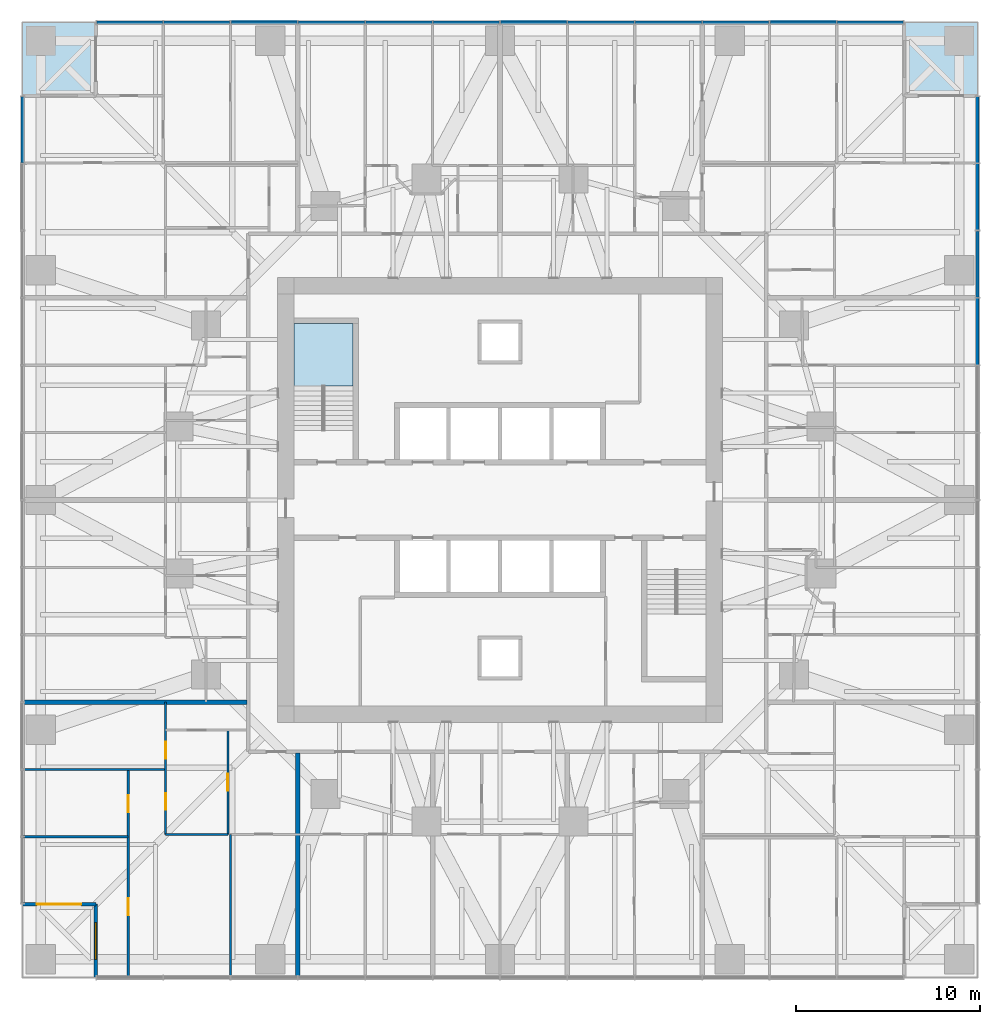
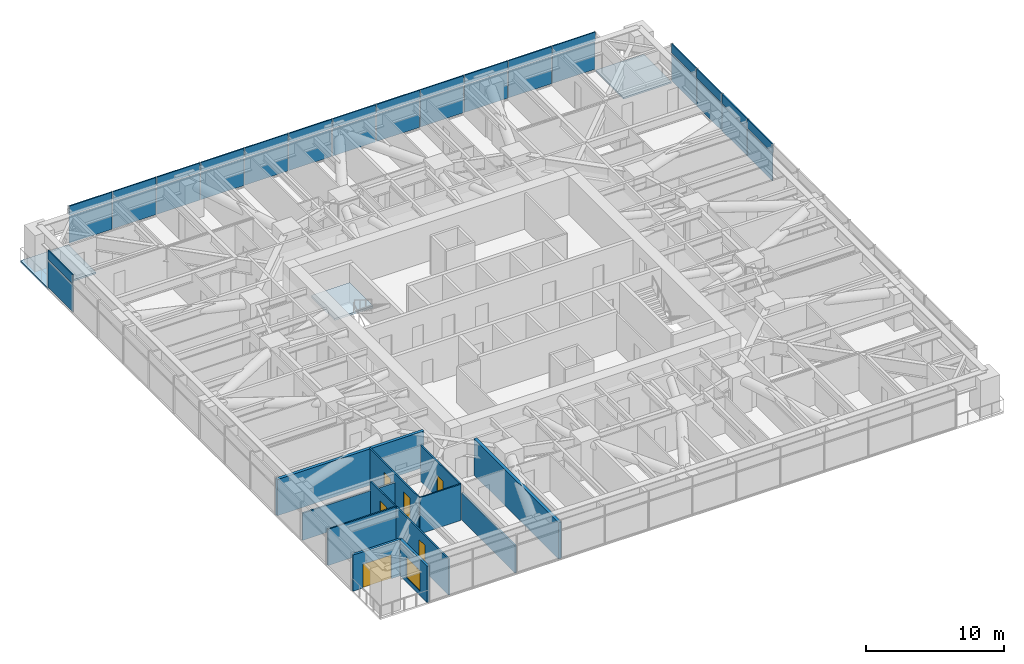
# One storey, part 9 of 17: 34 plates, 11 walls, 6 doors, 3 slabs, 1 window, 7 openings, 4 elements without a shape of their own.
"""IFC4 building model written with IfcOpenShell, lengths in metres."""

from ifc_helpers import new_model, si_unit, direction, frame, frame_2d, origin, origin_2d, place, context, subcontext, project, spatial, polyline, rectangle, outline, extrude, material, layer, layer_set, type_object, element, fill, aggregate, save


model = new_model("IFC4")

# Units and contexts
model_context = context("Model", 3, precision=1e-05, world=origin(), true_north=direction((0.0, 1.0)))
body_context = subcontext(model_context, "Body", "Model", "MODEL_VIEW")
ifc_project = project(units=[si_unit("LENGTHUNIT", "METRE"), si_unit("AREAUNIT", "SQUARE_METRE"), si_unit("VOLUMEUNIT", "CUBIC_METRE"), si_unit("PLANEANGLEUNIT", "RADIAN"), si_unit("MASSUNIT", "GRAM", prefix="KILO")], contexts=[model_context])

# Site, building, storey
site_placement = place(None, origin())
site = spatial("IfcSite", under=ifc_project, at=site_placement, CompositionType="ELEMENT")
building_placement = place(site_placement, origin())
building = spatial("IfcBuilding", under=site, at=building_placement, Name="Torsade Residences", CompositionType="ELEMENT")
storey_placement = place(building_placement, frame((0.0, 0.0, 38.800048828125)))
storey = spatial("IfcBuildingStorey", under=building, at=storey_placement, Name="L10", CompositionType="ELEMENT", Elevation=38.800048828125)

# Curtain wall, plates
ifc_material_1 = material(Name="Aluminium and glass", Category="aluminium")
curtain_wall_type = type_object("IfcCurtainWallType", Name="FRITTED GLASS CURTAIN WALL LOW ZONE", PredefinedType="NOTDEFINED", material=ifc_material_1)
curtain_wall_1_placement = place(storey_placement, origin())
curtain_wall_1 = element("IfcCurtainWall", 1, at=curtain_wall_1_placement, inside=storey, type_object=curtain_wall_type, Name="Curtain wall L10 face 4", PredefinedType="NOTDEFINED")
ifc_material_2 = material(Name="Laminated glass", Category="glass")
ifc_layer_1 = layer(ifc_material_2, 0.031982421875)
ifc_layer_set_1 = layer_set([ifc_layer_1], Name="Laminated glass")
plate_type_1 = type_object("IfcPlateType", Name="FRITTED GLASS PANEL", PredefinedType="CURTAIN_PANEL", material=ifc_layer_set_1)
plate_1_placement = place(storey_placement, frame((66.0, 39.166748046875, 0.10009765625), z_axis=(0.0, 0.0, 1.0), x_axis=(0.0, 1.0, 0.0)))
plate_1 = element("IfcPlate", 2, at=plate_1_placement, type_object=plate_type_1, Name="Panel 9", PredefinedType="CURTAIN_PANEL", context=body_context, shape_type="SweptSolid", body=[
    extrude(rectangle(XDim=3.6015625, YDim=0.031982421875, at=origin_2d()), origin(), (0.0, 0.0, 1.0), 2.39990234375),
])
plate_2_placement = place(storey_placement, frame((66.0, 46.5, 0.10009765625), z_axis=(0.0, 0.0, 1.0), x_axis=(0.0, 1.0, 0.0)))
plate_2 = element("IfcPlate", 3, at=plate_2_placement, type_object=plate_type_1, Name="Panel 11", PredefinedType="CURTAIN_PANEL", context=body_context, shape_type="SweptSolid", body=[
    extrude(rectangle(XDim=3.6015625, YDim=0.031982421875, at=origin_2d()), origin(), (0.0, 0.0, 1.0), 2.39990234375),
])
plate_3_placement = place(storey_placement, frame((66.0, 50.150390625, 0.10009765625), z_axis=(0.0, 0.0, 1.0), x_axis=(0.0, 1.0, 0.0)))
plate_3 = element("IfcPlate", 4, at=plate_3_placement, type_object=plate_type_1, Name="Panel 12", PredefinedType="CURTAIN_PANEL", context=body_context, shape_type="SweptSolid", body=[
    extrude(rectangle(XDim=3.569091796875, YDim=0.031982421875, at=origin_2d()), origin(), (0.0, 0.0, 1.0), 2.39990234375),
])

curtain_wall_2_placement = place(storey_placement, origin())
curtain_wall_2 = element("IfcCurtainWall", 5, at=curtain_wall_2_placement, inside=storey, type_object=curtain_wall_type, Name="Curtain wall L10 face 7", PredefinedType="NOTDEFINED")
plate_4_placement = place(storey_placement, frame((60.150390625, 56.0, 0.10009765625), z_axis=(0.0, 0.0, 1.0), x_axis=(-1.0, 0.0, 0.0)))
plate_4 = element("IfcPlate", 6, at=plate_4_placement, type_object=plate_type_1, Name="Panel 1", PredefinedType="CURTAIN_PANEL", context=body_context, shape_type="SweptSolid", body=[
    extrude(rectangle(XDim=3.569091796875, YDim=0.031982421875, at=origin_2d()), origin(), (0.0, 0.0, 1.0), 2.39990234375),
])
plate_5_placement = place(storey_placement, frame((52.833251953125, 56.0, 0.10009765625), z_axis=(0.0, 0.0, 1.0), x_axis=(-1.0, 0.0, 0.0)))
plate_5 = element("IfcPlate", 7, at=plate_5_placement, type_object=plate_type_1, Name="Panel 3", PredefinedType="CURTAIN_PANEL", context=body_context, shape_type="SweptSolid", body=[
    extrude(rectangle(XDim=3.6015625, YDim=0.031982421875, at=origin_2d()), origin(), (0.0, 0.0, 1.0), 2.39990234375),
])
plate_6_placement = place(storey_placement, frame((49.166748046875, 56.0, 0.10009765625), z_axis=(0.0, 0.0, 1.0), x_axis=(-1.0, 0.0, 0.0)))
plate_6 = element("IfcPlate", 8, at=plate_6_placement, type_object=plate_type_1, Name="Panel 4", PredefinedType="CURTAIN_PANEL", context=body_context, shape_type="SweptSolid", body=[
    extrude(rectangle(XDim=3.6015625, YDim=0.031982421875, at=origin_2d()), origin(), (0.0, 0.0, 1.0), 2.39990234375),
])
plate_7_placement = place(storey_placement, frame((45.5, 56.0, 0.10009765625), z_axis=(0.0, 0.0, 1.0), x_axis=(-1.0, 0.0, 0.0)))
plate_7 = element("IfcPlate", 9, at=plate_7_placement, type_object=plate_type_1, Name="Panel 5", PredefinedType="CURTAIN_PANEL", context=body_context, shape_type="SweptSolid", body=[
    extrude(rectangle(XDim=3.6015625, YDim=0.031982421875, at=origin_2d()), origin(), (0.0, 0.0, 1.0), 2.39990234375),
])
plate_8_placement = place(storey_placement, frame((38.166748046875, 56.0, 0.10009765625), z_axis=(0.0, 0.0, 1.0), x_axis=(-1.0, 0.0, 0.0)))
plate_8 = element("IfcPlate", 10, at=plate_8_placement, type_object=plate_type_1, Name="Panel 7", PredefinedType="CURTAIN_PANEL", context=body_context, shape_type="SweptSolid", body=[
    extrude(rectangle(XDim=3.6015625, YDim=0.031982421875, at=origin_2d()), origin(), (0.0, 0.0, 1.0), 2.39990234375),
])
plate_9_placement = place(storey_placement, frame((34.5, 56.0, 0.10009765625), z_axis=(0.0, 0.0, 1.0), x_axis=(-1.0, 0.0, 0.0)))
plate_9 = element("IfcPlate", 11, at=plate_9_placement, type_object=plate_type_1, Name="Panel 8", PredefinedType="CURTAIN_PANEL", context=body_context, shape_type="SweptSolid", body=[
    extrude(rectangle(XDim=3.6015625, YDim=0.031982421875, at=origin_2d()), origin(), (0.0, 0.0, 1.0), 2.39990234375),
])
plate_10_placement = place(storey_placement, frame((30.833251953125, 56.0, 0.10009765625), z_axis=(0.0, 0.0, 1.0), x_axis=(-1.0, 0.0, 0.0)))
plate_10 = element("IfcPlate", 12, at=plate_10_placement, type_object=plate_type_1, Name="Panel 9", PredefinedType="CURTAIN_PANEL", context=body_context, shape_type="SweptSolid", body=[
    extrude(rectangle(XDim=3.6015625, YDim=0.031982421875, at=origin_2d()), origin(), (0.0, 0.0, 1.0), 2.39990234375),
])
plate_11_placement = place(storey_placement, frame((23.5, 56.0, 0.10009765625), z_axis=(0.0, 0.0, 1.0), x_axis=(-1.0, 0.0, 0.0)))
plate_11 = element("IfcPlate", 13, at=plate_11_placement, type_object=plate_type_1, Name="Panel 11", PredefinedType="CURTAIN_PANEL", context=body_context, shape_type="SweptSolid", body=[
    extrude(rectangle(XDim=3.6015625, YDim=0.031982421875, at=origin_2d()), origin(), (0.0, 0.0, 1.0), 2.39990234375),
])
plate_12_placement = place(storey_placement, frame((19.849609375, 56.0, 0.10009765625), z_axis=(0.0, 0.0, 1.0), x_axis=(-1.0, 0.0, 0.0)))
plate_12 = element("IfcPlate", 14, at=plate_12_placement, type_object=plate_type_1, Name="Panel 12", PredefinedType="CURTAIN_PANEL", context=body_context, shape_type="SweptSolid", body=[
    extrude(rectangle(XDim=3.569091796875, YDim=0.031982421875, at=origin_2d()), origin(), (0.0, 0.0, 1.0), 2.39990234375),
])

# Curtain wall, plate
curtain_wall_3_placement = place(storey_placement, origin())
curtain_wall_3 = element("IfcCurtainWall", 15, at=curtain_wall_3_placement, inside=storey, type_object=curtain_wall_type, Name="Curtain wall L10 face 10", PredefinedType="NOTDEFINED")
plate_13_placement = place(storey_placement, frame((14.0, 50.150390625, 0.10009765625), z_axis=(0.0, 0.0, 1.0), x_axis=(0.0, -1.0, 0.0)))
plate_13 = element("IfcPlate", 16, at=plate_13_placement, type_object=plate_type_1, Name="Panel 1", PredefinedType="CURTAIN_PANEL", context=body_context, shape_type="SweptSolid", body=[
    extrude(rectangle(XDim=3.569091796875, YDim=0.031982421875, at=origin_2d()), origin(), (0.0, 0.0, 1.0), 2.39990234375),
])

# Plate
ifc_material_3 = material(Name="Aluminium composite spandrel panel", Category="aluminium")
ifc_layer_2 = layer(ifc_material_3, 0.10009765625)
ifc_layer_set_2 = layer_set([ifc_layer_2], Name="Aluminium composite spandrel panel")
plate_type_2 = type_object("IfcPlateType", Name="OPAQUE SPANDREL PANEL", PredefinedType="CURTAIN_PANEL", material=ifc_layer_set_2)
plate_14_placement = place(storey_placement, frame((66.0, 39.166748046875, 2.60009765625), z_axis=(0.0, 0.0, 1.0), x_axis=(0.0, 1.0, 0.0)))
plate_14 = element("IfcPlate", 17, at=plate_14_placement, type_object=plate_type_2, Name="Spandrel panel 9", PredefinedType="CURTAIN_PANEL", context=body_context, shape_type="SweptSolid", body=[
    extrude(rectangle(XDim=3.6015625, YDim=0.10009765625, at=origin_2d()), origin(), (0.0, 0.0, 1.0), 0.800048828125),
])

plate_15_placement = place(storey_placement, frame((66.0, 42.833251953125, 2.60009765625), z_axis=(0.0, 0.0, 1.0), x_axis=(0.0, 1.0, 0.0)))
plate_15 = element("IfcPlate", 18, at=plate_15_placement, type_object=plate_type_2, Name="Spandrel panel 10", PredefinedType="CURTAIN_PANEL", context=body_context, shape_type="SweptSolid", body=[
    extrude(rectangle(XDim=3.6015625, YDim=0.10009765625, at=origin_2d()), origin(), (0.0, 0.0, 1.0), 0.800048828125),
])

plate_16_placement = place(storey_placement, frame((66.0, 46.5, 2.60009765625), z_axis=(0.0, 0.0, 1.0), x_axis=(0.0, 1.0, 0.0)))
plate_16 = element("IfcPlate", 19, at=plate_16_placement, type_object=plate_type_2, Name="Spandrel panel 11", PredefinedType="CURTAIN_PANEL", context=body_context, shape_type="SweptSolid", body=[
    extrude(rectangle(XDim=3.6015625, YDim=0.10009765625, at=origin_2d()), origin(), (0.0, 0.0, 1.0), 0.800048828125),
])

plate_17_placement = place(storey_placement, frame((66.0, 50.150390625, 2.60009765625), z_axis=(0.0, 0.0, 1.0), x_axis=(0.0, 1.0, 0.0)))
plate_17 = element("IfcPlate", 20, at=plate_17_placement, type_object=plate_type_2, Name="Spandrel panel 12", PredefinedType="CURTAIN_PANEL", context=body_context, shape_type="SweptSolid", body=[
    extrude(rectangle(XDim=3.569091796875, YDim=0.10009765625, at=origin_2d()), origin(), (0.0, 0.0, 1.0), 0.800048828125),
])

plate_18_placement = place(storey_placement, frame((60.150390625, 56.0, 2.60009765625), z_axis=(0.0, 0.0, 1.0), x_axis=(-1.0, 0.0, 0.0)))
plate_18 = element("IfcPlate", 21, at=plate_18_placement, type_object=plate_type_2, Name="Spandrel panel 1", PredefinedType="CURTAIN_PANEL", context=body_context, shape_type="SweptSolid", body=[
    extrude(rectangle(XDim=3.569091796875, YDim=0.10009765625, at=origin_2d()), origin(), (0.0, 0.0, 1.0), 0.800048828125),
])

plate_19_placement = place(storey_placement, frame((56.5, 56.0, 2.60009765625), z_axis=(0.0, 0.0, 1.0), x_axis=(-1.0, 0.0, 0.0)))
plate_19 = element("IfcPlate", 22, at=plate_19_placement, type_object=plate_type_2, Name="Spandrel panel 2", PredefinedType="CURTAIN_PANEL", context=body_context, shape_type="SweptSolid", body=[
    extrude(rectangle(XDim=3.6015625, YDim=0.10009765625, at=origin_2d()), origin(), (0.0, 0.0, 1.0), 0.800048828125),
])

plate_20_placement = place(storey_placement, frame((52.833251953125, 56.0, 2.60009765625), z_axis=(0.0, 0.0, 1.0), x_axis=(-1.0, 0.0, 0.0)))
plate_20 = element("IfcPlate", 23, at=plate_20_placement, type_object=plate_type_2, Name="Spandrel panel 3", PredefinedType="CURTAIN_PANEL", context=body_context, shape_type="SweptSolid", body=[
    extrude(rectangle(XDim=3.6015625, YDim=0.10009765625, at=origin_2d()), origin(), (0.0, 0.0, 1.0), 0.800048828125),
])

plate_21_placement = place(storey_placement, frame((49.166748046875, 56.0, 2.60009765625), z_axis=(0.0, 0.0, 1.0), x_axis=(-1.0, 0.0, 0.0)))
plate_21 = element("IfcPlate", 24, at=plate_21_placement, type_object=plate_type_2, Name="Spandrel panel 4", PredefinedType="CURTAIN_PANEL", context=body_context, shape_type="SweptSolid", body=[
    extrude(rectangle(XDim=3.6015625, YDim=0.10009765625, at=origin_2d()), origin(), (0.0, 0.0, 1.0), 0.800048828125),
])

plate_22_placement = place(storey_placement, frame((45.5, 56.0, 2.60009765625), z_axis=(0.0, 0.0, 1.0), x_axis=(-1.0, 0.0, 0.0)))
plate_22 = element("IfcPlate", 25, at=plate_22_placement, type_object=plate_type_2, Name="Spandrel panel 5", PredefinedType="CURTAIN_PANEL", context=body_context, shape_type="SweptSolid", body=[
    extrude(rectangle(XDim=3.6015625, YDim=0.10009765625, at=origin_2d()), origin(), (0.0, 0.0, 1.0), 0.800048828125),
])

plate_23_placement = place(storey_placement, frame((41.833251953125, 56.0, 2.60009765625), z_axis=(0.0, 0.0, 1.0), x_axis=(-1.0, 0.0, 0.0)))
plate_23 = element("IfcPlate", 26, at=plate_23_placement, type_object=plate_type_2, Name="Spandrel panel 6", PredefinedType="CURTAIN_PANEL", context=body_context, shape_type="SweptSolid", body=[
    extrude(rectangle(XDim=3.6015625, YDim=0.10009765625, at=origin_2d()), origin(), (0.0, 0.0, 1.0), 0.800048828125),
])

plate_24_placement = place(storey_placement, frame((38.166748046875, 56.0, 2.60009765625), z_axis=(0.0, 0.0, 1.0), x_axis=(-1.0, 0.0, 0.0)))
plate_24 = element("IfcPlate", 27, at=plate_24_placement, type_object=plate_type_2, Name="Spandrel panel 7", PredefinedType="CURTAIN_PANEL", context=body_context, shape_type="SweptSolid", body=[
    extrude(rectangle(XDim=3.6015625, YDim=0.10009765625, at=origin_2d()), origin(), (0.0, 0.0, 1.0), 0.800048828125),
])

plate_25_placement = place(storey_placement, frame((34.5, 56.0, 2.60009765625), z_axis=(0.0, 0.0, 1.0), x_axis=(-1.0, 0.0, 0.0)))
plate_25 = element("IfcPlate", 28, at=plate_25_placement, type_object=plate_type_2, Name="Spandrel panel 8", PredefinedType="CURTAIN_PANEL", context=body_context, shape_type="SweptSolid", body=[
    extrude(rectangle(XDim=3.6015625, YDim=0.10009765625, at=origin_2d()), origin(), (0.0, 0.0, 1.0), 0.800048828125),
])

plate_26_placement = place(storey_placement, frame((30.833251953125, 56.0, 2.60009765625), z_axis=(0.0, 0.0, 1.0), x_axis=(-1.0, 0.0, 0.0)))
plate_26 = element("IfcPlate", 29, at=plate_26_placement, type_object=plate_type_2, Name="Spandrel panel 9", PredefinedType="CURTAIN_PANEL", context=body_context, shape_type="SweptSolid", body=[
    extrude(rectangle(XDim=3.6015625, YDim=0.10009765625, at=origin_2d()), origin(), (0.0, 0.0, 1.0), 0.800048828125),
])

plate_27_placement = place(storey_placement, frame((27.166748046875, 56.0, 2.60009765625), z_axis=(0.0, 0.0, 1.0), x_axis=(-1.0, 0.0, 0.0)))
plate_27 = element("IfcPlate", 30, at=plate_27_placement, type_object=plate_type_2, Name="Spandrel panel 10", PredefinedType="CURTAIN_PANEL", context=body_context, shape_type="SweptSolid", body=[
    extrude(rectangle(XDim=3.6015625, YDim=0.10009765625, at=origin_2d()), origin(), (0.0, 0.0, 1.0), 0.800048828125),
])

plate_28_placement = place(storey_placement, frame((23.5, 56.0, 2.60009765625), z_axis=(0.0, 0.0, 1.0), x_axis=(-1.0, 0.0, 0.0)))
plate_28 = element("IfcPlate", 31, at=plate_28_placement, type_object=plate_type_2, Name="Spandrel panel 11", PredefinedType="CURTAIN_PANEL", context=body_context, shape_type="SweptSolid", body=[
    extrude(rectangle(XDim=3.6015625, YDim=0.10009765625, at=origin_2d()), origin(), (0.0, 0.0, 1.0), 0.800048828125),
])

plate_29_placement = place(storey_placement, frame((19.849609375, 56.0, 2.60009765625), z_axis=(0.0, 0.0, 1.0), x_axis=(-1.0, 0.0, 0.0)))
plate_29 = element("IfcPlate", 32, at=plate_29_placement, type_object=plate_type_2, Name="Spandrel panel 12", PredefinedType="CURTAIN_PANEL", context=body_context, shape_type="SweptSolid", body=[
    extrude(rectangle(XDim=3.569091796875, YDim=0.10009765625, at=origin_2d()), origin(), (0.0, 0.0, 1.0), 0.800048828125),
])

plate_30_placement = place(storey_placement, frame((14.0, 50.150390625, 2.60009765625), z_axis=(0.0, 0.0, 1.0), x_axis=(0.0, -1.0, 0.0)))
plate_30 = element("IfcPlate", 33, at=plate_30_placement, type_object=plate_type_2, Name="Spandrel panel 1", PredefinedType="CURTAIN_PANEL", context=body_context, shape_type="SweptSolid", body=[
    extrude(rectangle(XDim=3.569091796875, YDim=0.10009765625, at=origin_2d()), origin(), (0.0, 0.0, 1.0), 0.800048828125),
])

aggregate(curtain_wall_3, [plate_13, plate_30])

ifc_material_4 = material(Name="Laminated glass", Category="glass")
ifc_layer_3 = layer(ifc_material_4, 0.0400390625)
ifc_layer_set_3 = layer_set([ifc_layer_3], Name="Laminated glass")
plate_type_3 = type_object("IfcPlateType", Name="OPERABLE VENT PANEL", PredefinedType="CURTAIN_PANEL", material=ifc_layer_set_3)
plate_31_placement = place(storey_placement, frame((66.0, 42.833251953125, 0.10009765625), z_axis=(0.0, 0.0, 1.0), x_axis=(0.0, 1.0, 0.0)))
plate_31 = element("IfcPlate", 34, at=plate_31_placement, type_object=plate_type_3, Name="Panel 10", PredefinedType="CURTAIN_PANEL", context=body_context, shape_type="SweptSolid", body=[
    extrude(rectangle(XDim=3.6015625, YDim=0.0400390625, at=origin_2d()), origin(), (0.0, 0.0, 1.0), 2.39990234375),
])

aggregate(curtain_wall_1, [plate_1, plate_14, plate_31, plate_15, plate_2, plate_16, plate_3, plate_17])

plate_32_placement = place(storey_placement, frame((56.5, 56.0, 0.10009765625), z_axis=(0.0, 0.0, 1.0), x_axis=(-1.0, 0.0, 0.0)))
plate_32 = element("IfcPlate", 35, at=plate_32_placement, type_object=plate_type_3, Name="Panel 2", PredefinedType="CURTAIN_PANEL", context=body_context, shape_type="SweptSolid", body=[
    extrude(rectangle(XDim=3.6015625, YDim=0.0400390625, at=origin_2d()), origin(), (0.0, 0.0, 1.0), 2.39990234375),
])

plate_33_placement = place(storey_placement, frame((41.833251953125, 56.0, 0.10009765625), z_axis=(0.0, 0.0, 1.0), x_axis=(-1.0, 0.0, 0.0)))
plate_33 = element("IfcPlate", 36, at=plate_33_placement, type_object=plate_type_3, Name="Panel 6", PredefinedType="CURTAIN_PANEL", context=body_context, shape_type="SweptSolid", body=[
    extrude(rectangle(XDim=3.6015625, YDim=0.0400390625, at=origin_2d()), origin(), (0.0, 0.0, 1.0), 2.39990234375),
])

plate_34_placement = place(storey_placement, frame((27.166748046875, 56.0, 0.10009765625), z_axis=(0.0, 0.0, 1.0), x_axis=(-1.0, 0.0, 0.0)))
plate_34 = element("IfcPlate", 37, at=plate_34_placement, type_object=plate_type_3, Name="Panel 10", PredefinedType="CURTAIN_PANEL", context=body_context, shape_type="SweptSolid", body=[
    extrude(rectangle(XDim=3.6015625, YDim=0.0400390625, at=origin_2d()), origin(), (0.0, 0.0, 1.0), 2.39990234375),
])

aggregate(curtain_wall_2, [plate_4, plate_18, plate_32, plate_19, plate_5, plate_20, plate_6, plate_21, plate_7, plate_22, plate_33, plate_23, plate_8, plate_24, plate_9, plate_25, plate_10, plate_26, plate_34, plate_27, plate_11, plate_28, plate_12, plate_29])

# Stair, slab
ifc_material_5 = material(Name="Precast concrete 40 MPa", Category="concrete")
stair_type = type_object("IfcStairType", Name="HALF-TURN FIRE STAIR 1500x3400", PredefinedType="HALF_TURN_STAIR", material=ifc_material_5)
stair_placement = place(storey_placement, origin())
stair = element("IfcStair", 38, at=stair_placement, inside=storey, type_object=stair_type, Name="Stair ST1 L10", PredefinedType="HALF_TURN_STAIR")
ifc_material_6 = material(Name="Precast concrete 40 MPa", Category="concrete")
ifc_layer_4 = layer(ifc_material_6, 0.179931640625)
ifc_layer_set_4 = layer_set([ifc_layer_4], Name="Precast concrete 40 MPa")
slab_type_1 = type_object("IfcSlabType", Name="PRECAST STAIR LANDING 180", PredefinedType="LANDING", material=ifc_layer_set_4)
slab_1_placement = place(storey_placement, frame((0.0, 0.0, 1.52001953125)))
slab_1 = element("IfcSlab", 39, at=slab_1_placement, type_object=slab_type_1, Name="ST1 landing 1", PredefinedType="LANDING", context=body_context, shape_type="SweptSolid", body=[
    extrude(outline(polyline([(28.800048828125, 36.2099609375), (32.0, 36.2099609375), (32.0, 39.60009765625), (28.800048828125, 39.60009765625), (28.800048828125, 36.2099609375)])), origin(), (0.0, 0.0, 1.0), 0.179931640625),
])
aggregate(stair, [slab_1])

# Slabs
ifc_material_7 = material(Name="Concrete 40 MPa", Category="concrete")
ifc_layer_5 = layer(ifc_material_7, 0.14990234375)
ifc_layer_set_5 = layer_set([ifc_layer_5], Name="Concrete 40 MPa")
slab_type_2 = type_object("IfcSlabType", Name="TERRACE SLAB 150", PredefinedType="FLOOR", material=ifc_layer_set_5)
slab_2_placement = place(storey_placement, frame((0.0, 0.0, -0.150146484375)))
element("IfcSlab", 40, at=slab_2_placement, inside=storey, type_object=slab_type_2, Name="Corner terrace slab NE L10", PredefinedType="FLOOR", context=body_context, shape_type="SweptSolid", body=[
    extrude(outline(polyline([(62.0, 52.0), (66.0, 52.0), (66.0, 56.0), (62.0, 56.0), (62.0, 52.0)])), origin(), (0.0, 0.0, 1.0), 0.150146484375),
])
slab_3_placement = place(storey_placement, frame((0.0, 0.0, -0.150146484375)))
element("IfcSlab", 41, at=slab_3_placement, inside=storey, type_object=slab_type_2, Name="Corner terrace slab NW L10", PredefinedType="FLOOR", context=body_context, shape_type="SweptSolid", body=[
    extrude(outline(polyline([(14.0, 52.0), (18.0, 52.0), (18.0, 56.0), (14.0, 56.0), (14.0, 52.0)])), origin(), (0.0, 0.0, 1.0), 0.150146484375),
])

# Wall, opening, door
ifc_material_8 = material(Name="Plasterboard on steel stud", Category="steel")
ifc_layer_6 = layer(ifc_material_8, 0.1201171875)
ifc_layer_set_6 = layer_set([ifc_layer_6], Name="Plasterboard on steel stud")
wall_type_1 = type_object("IfcWallType", Name="PARTITION 120", PredefinedType="PARTITIONING", material=ifc_layer_set_6)
wall_1_placement = place(storey_placement, frame((25.189453125, 11.800048828125, 0.0), z_axis=(0.0, 0.0, 1.0), x_axis=(0.0, 1.0, 0.0)))
wall_1 = element("IfcWall", 42, at=wall_1_placement, inside=storey, type_object=wall_type_1, Name="Partition L10", PredefinedType="PARTITIONING", context=body_context, shape_type="SweptSolid", body=[
    extrude(rectangle(XDim=5.673828125, YDim=0.1201171875, at=frame_2d((2.8369140625, 0.0))), origin(), (0.0, 0.0, 1.0), 3.199951171875),
])
opening_1_placement = place(wall_1_placement, frame((2.376953125, 0.0, 0.0)))
opening_1 = element("IfcOpeningElement", 43, at=opening_1_placement, cuts=wall_1, Name="Opening D02N", PredefinedType="OPENING", context=body_context, shape_type="SweptSolid", body=[
    extrude(rectangle(XDim=0.919921875, YDim=2.0, at=frame_2d((0.4599609375, 1.0))), frame((0.0, 0.070068359375, 0.0), z_axis=(0.0, -1.0, 0.0), x_axis=(1.0, 0.0, 0.0)), (0.0, 0.0, 1.0), 0.14013671875),
])
ifc_material_9 = material(Name="Hollow-core timber door", Category="wood")
door_type_1 = type_object("IfcDoorType", Name="INTERNAL DOOR 920x2000", OperationType="NOTDEFINED", PredefinedType="DOOR", material=ifc_material_9)
door_1_placement = place(opening_1_placement, origin())
door_1 = element("IfcDoor", 44, at=door_1_placement, inside=storey, type_object=door_type_1, Name="Door Kitchen and dining to Scullery", OperationType="SINGLE_SWING_RIGHT", OverallHeight=2.0, OverallWidth=0.919921875, PredefinedType="DOOR", context=body_context, shape_type="SweptSolid", body=[
    extrude(rectangle(XDim=0.919921875, YDim=2.0, at=frame_2d((0.4599609375, 1.0))), frame((0.0, 0.02490234375, 0.0), z_axis=(0.0, -1.0, 0.0), x_axis=(1.0, 0.0, 0.0)), (0.0, 0.0, 1.0), 0.050048828125),
])
fill(opening_1, door_1)

# Wall
wall_2_placement = place(storey_placement, frame((25.189453125, 11.800048828125, 0.0), z_axis=(0.0, 0.0, 1.0), x_axis=(-1.0, 0.0, 0.0)))
element("IfcWall", 45, at=wall_2_placement, inside=storey, type_object=wall_type_1, Name="Partition L10", PredefinedType="PARTITIONING", context=body_context, shape_type="SweptSolid", body=[
    extrude(rectangle(XDim=3.389404296875, YDim=0.1201171875, at=frame_2d((1.69482421875, 0.0))), origin(), (0.0, 0.0, 1.0), 3.199951171875),
])

# Wall, openings, doors
wall_3_placement = place(storey_placement, frame((21.800048828125, 11.800048828125, 0.0), z_axis=(0.0, 0.0, 1.0), x_axis=(0.0, 1.0, 0.0)))
wall_3 = element("IfcWall", 46, at=wall_3_placement, inside=storey, type_object=wall_type_1, Name="Partition L10", PredefinedType="PARTITIONING", context=body_context, shape_type="SweptSolid", body=[
    extrude(rectangle(XDim=7.199951171875, YDim=0.1201171875, at=frame_2d((3.60009765625, 0.0))), origin(), (0.0, 0.0, 1.0), 3.199951171875),
])
opening_2_placement = place(wall_3_placement, frame((1.33154296875, 0.0, 0.0)))
opening_2 = element("IfcOpeningElement", 47, at=opening_2_placement, cuts=wall_3, Name="Opening D02", PredefinedType="OPENING", context=body_context, shape_type="SweptSolid", body=[
    extrude(rectangle(XDim=0.919921875, YDim=2.340087890625, at=frame_2d((0.4599609375, 1.169921875))), frame((0.0, 0.070068359375, 0.0), z_axis=(0.0, -1.0, 0.0), x_axis=(1.0, 0.0, 0.0)), (0.0, 0.0, 1.0), 0.14013671875),
])
opening_3_placement = place(wall_3_placement, frame((4.11865234375, 0.0, 0.0)))
opening_3 = element("IfcOpeningElement", 48, at=opening_3_placement, cuts=wall_3, Name="Opening D02", PredefinedType="OPENING", context=body_context, shape_type="SweptSolid", body=[
    extrude(rectangle(XDim=0.919921875, YDim=2.340087890625, at=frame_2d((0.4599609375, 1.169921875))), frame((0.0, 0.070068359375, 0.0), z_axis=(0.0, -1.0, 0.0), x_axis=(1.0, 0.0, 0.0)), (0.0, 0.0, 1.0), 0.14013671875),
])
ifc_material_10 = material(Name="Hollow-core timber door", Category="wood")
door_type_2 = type_object("IfcDoorType", Name="INTERNAL DOOR 920x2340", OperationType="NOTDEFINED", PredefinedType="DOOR", material=ifc_material_10)
door_2_placement = place(opening_2_placement, origin())
door_2 = element("IfcDoor", 49, at=door_2_placement, inside=storey, type_object=door_type_2, Name="Door Scullery to Living room", OperationType="SINGLE_SWING_RIGHT", OverallHeight=2.340087890625, OverallWidth=0.919921875, PredefinedType="DOOR", context=body_context, shape_type="SweptSolid", body=[
    extrude(rectangle(XDim=0.919921875, YDim=2.340087890625, at=frame_2d((0.4599609375, 1.169921875))), frame((0.0, 0.02490234375, 0.0), z_axis=(0.0, -1.0, 0.0), x_axis=(1.0, 0.0, 0.0)), (0.0, 0.0, 1.0), 0.050048828125),
])
fill(opening_2, door_2)
door_3_placement = place(opening_3_placement, origin())
door_3 = element("IfcDoor", 50, at=door_3_placement, inside=storey, type_object=door_type_2, Name="Door Scullery to Bedroom 1", OperationType="SINGLE_SWING_LEFT", OverallHeight=2.340087890625, OverallWidth=0.919921875, PredefinedType="DOOR", context=body_context, shape_type="SweptSolid", body=[
    extrude(rectangle(XDim=0.919921875, YDim=2.340087890625, at=frame_2d((0.4599609375, 1.169921875))), frame((0.0, 0.02490234375, 0.0), z_axis=(0.0, -1.0, 0.0), x_axis=(1.0, 0.0, 0.0)), (0.0, 0.0, 1.0), 0.050048828125),
])
fill(opening_3, door_3)

# Walls
for number, where, z_axis, x_axis, name in (
    (51, (14.0400390625, 15.333251953125, 0.0), (0.0, 0.0, 1.0), (1.0, 0.0, 0.0), "Partition L10"),
    (52, (25.333251953125, 11.800048828125, 0.0), (0.0, 0.0, 1.0), (0.0, -1.0, 0.0), "Partition L10"),
):
    element("IfcWall", number, at=place(storey_placement, frame(where, z_axis=z_axis, x_axis=x_axis)), inside=storey, type_object=wall_type_1, Name=name, PredefinedType="PARTITIONING", context=body_context, shape_type="SweptSolid", body=[
        extrude(rectangle(XDim=7.760009765625, YDim=0.1201171875, at=frame_2d((3.8798828125, 0.0))), origin(), (0.0, 0.0, 1.0), 2.39990234375),
    ])

# Wall, openings, doors
wall_4_placement = place(storey_placement, frame((19.7666015625, 4.0400390625, 0.0), z_axis=(0.0, 0.0, 1.0), x_axis=(0.0, 1.0, 0.0)))
wall_4 = element("IfcWall", 53, at=wall_4_placement, inside=storey, type_object=wall_type_1, Name="Partition L10", PredefinedType="PARTITIONING", context=body_context, shape_type="SweptSolid", body=[
    extrude(rectangle(XDim=11.293212890625, YDim=0.1201171875, at=frame_2d((5.646484375, 0.0))), origin(), (0.0, 0.0, 1.0), 3.199951171875),
])
opening_4_placement = place(wall_4_placement, frame((3.3583984375, 0.0, 0.0)))
opening_4 = element("IfcOpeningElement", 54, at=opening_4_placement, cuts=wall_4, Name="Opening D02", PredefinedType="OPENING", context=body_context, shape_type="SweptSolid", body=[
    extrude(rectangle(XDim=0.919921875, YDim=2.340087890625, at=frame_2d((0.4599609375, 1.169921875))), frame((0.0, 0.070068359375, 0.0), z_axis=(0.0, -1.0, 0.0), x_axis=(1.0, 0.0, 0.0)), (0.0, 0.0, 1.0), 0.14013671875),
])
opening_5_placement = place(wall_4_placement, frame((8.97509765625, 0.0, 0.0)))
opening_5 = element("IfcOpeningElement", 55, at=opening_5_placement, cuts=wall_4, Name="Opening D02", PredefinedType="OPENING", context=body_context, shape_type="SweptSolid", body=[
    extrude(rectangle(XDim=0.919921875, YDim=2.340087890625, at=frame_2d((0.4599609375, 1.169921875))), frame((0.0, 0.070068359375, 0.0), z_axis=(0.0, -1.0, 0.0), x_axis=(1.0, 0.0, 0.0)), (0.0, 0.0, 1.0), 0.14013671875),
])
door_4_placement = place(opening_4_placement, origin())
door_4 = element("IfcDoor", 56, at=door_4_placement, inside=storey, type_object=door_type_2, Name="Door Living room to Study", OperationType="SINGLE_SWING_RIGHT", OverallHeight=2.340087890625, OverallWidth=0.919921875, PredefinedType="DOOR", context=body_context, shape_type="SweptSolid", body=[
    extrude(rectangle(XDim=0.919921875, YDim=2.340087890625, at=frame_2d((0.4599609375, 1.169921875))), frame((0.0, 0.02490234375, 0.0), z_axis=(0.0, -1.0, 0.0), x_axis=(1.0, 0.0, 0.0)), (0.0, 0.0, 1.0), 0.050048828125),
])
fill(opening_4, door_4)
door_5_placement = place(opening_5_placement, origin())
door_5 = element("IfcDoor", 57, at=door_5_placement, inside=storey, type_object=door_type_2, Name="Door Living room to Family room", OperationType="SINGLE_SWING_LEFT", OverallHeight=2.340087890625, OverallWidth=0.919921875, PredefinedType="DOOR", context=body_context, shape_type="SweptSolid", body=[
    extrude(rectangle(XDim=0.919921875, YDim=2.340087890625, at=frame_2d((0.4599609375, 1.169921875))), frame((0.0, 0.02490234375, 0.0), z_axis=(0.0, -1.0, 0.0), x_axis=(1.0, 0.0, 0.0)), (0.0, 0.0, 1.0), 0.050048828125),
])
fill(opening_5, door_5)

# Walls
wall_5_placement = place(storey_placement, frame((14.0400390625, 11.666748046875, 0.0), z_axis=(0.0, 0.0, 1.0), x_axis=(1.0, 0.0, 0.0)))
element("IfcWall", 58, at=wall_5_placement, inside=storey, type_object=wall_type_1, Name="Partition L10", PredefinedType="PARTITIONING", context=body_context, shape_type="SweptSolid", body=[
    extrude(rectangle(XDim=5.7265625, YDim=0.1201171875, at=frame_2d((2.86328125, 0.0))), origin(), (0.0, 0.0, 1.0), 3.199951171875),
])
ifc_material_11 = material(Name="Masonry-lined stud party wall", Category="masonry")
ifc_layer_7 = layer(ifc_material_11, 0.25)
ifc_layer_set_7 = layer_set([ifc_layer_7], Name="Masonry-lined stud party wall")
wall_type_2 = type_object("IfcWallType", Name="PARTY WALL 250", PredefinedType="PARTITIONING", material=ifc_layer_set_7)
for number, where, z_axis, x_axis, name in (
    (59, (29.0, 4.0, 0.0), (0.0, 0.0, 1.0), (0.0, 1.0, 0.0), "Party wall L10"),
    (60, (14.0, 19.0, 0.0), (0.0, 0.0, 1.0), (1.0, 0.0, 0.0), "Party wall L10"),
):
    element("IfcWall", number, at=place(storey_placement, frame(where, z_axis=z_axis, x_axis=x_axis)), inside=storey, type_object=wall_type_2, Name=name, PredefinedType="PARTITIONING", context=body_context, shape_type="SweptSolid", body=[
        extrude(rectangle(XDim=12.239990234375, YDim=0.25, at=frame_2d((6.1201171875, 0.0))), origin(), (0.0, 0.0, 1.0), 3.199951171875),
    ])

# Wall, opening, door
ifc_material_12 = material(Name="Stone-faced precast concrete 40 MPa panel", Category="masonry")
ifc_layer_8 = layer(ifc_material_12, 0.199951171875)
ifc_layer_set_8 = layer_set([ifc_layer_8], Name="Stone-faced precast concrete 40 MPa panel")
wall_type_3 = type_object("IfcWallType", Name="TERRACE WALL 200", PredefinedType="SOLIDWALL", material=ifc_layer_set_8)
wall_6_placement = place(storey_placement, frame((14.0, 8.0, 0.0), z_axis=(0.0, 0.0, 1.0), x_axis=(1.0, 0.0, 0.0)))
wall_6 = element("IfcWall", 61, at=wall_6_placement, inside=storey, type_object=wall_type_3, Name="Terrace wall L10 11", PredefinedType="SOLIDWALL", context=body_context, shape_type="SweptSolid", body=[
    extrude(rectangle(XDim=4.0, YDim=0.199951171875, at=frame_2d((2.0, 0.0))), origin(), (0.0, 0.0, 1.0), 3.199951171875),
])
opening_6_placement = place(wall_6_placement, frame((0.800048828125, 0.0, 0.0)))
opening_6 = element("IfcOpeningElement", 62, at=opening_6_placement, cuts=wall_6, Name="Opening D10A", PredefinedType="OPENING", context=body_context, shape_type="SweptSolid", body=[
    extrude(rectangle(XDim=2.39990234375, YDim=2.10009765625, at=frame_2d((1.199951171875, 1.050048828125))), frame((0.0, 0.10986328125, 0.0), z_axis=(0.0, -1.0, 0.0), x_axis=(1.0, 0.0, 0.0)), (0.0, 0.0, 1.0), 0.219970703125),
])
ifc_material_13 = material(Name="Aluminium-framed glass door", Category="aluminium")
door_type_3 = type_object("IfcDoorType", Name="TERRACE SLIDING DOOR 2400x2100", OperationType="SLIDING_TO_LEFT", PredefinedType="DOOR", material=ifc_material_13)
door_6_placement = place(opening_6_placement, origin())
door_6 = element("IfcDoor", 63, at=door_6_placement, inside=storey, type_object=door_type_3, Name="Terrace door L10 11", OperationType="SLIDING_TO_LEFT", OverallHeight=2.10009765625, OverallWidth=2.39990234375, PredefinedType="DOOR", context=body_context, shape_type="SweptSolid", body=[
    extrude(rectangle(XDim=2.39990234375, YDim=2.10009765625, at=frame_2d((1.199951171875, 1.050048828125))), frame((0.0, 0.02490234375, 0.0), z_axis=(0.0, -1.0, 0.0), x_axis=(1.0, 0.0, 0.0)), (0.0, 0.0, 1.0), 0.050048828125),
])
fill(opening_6, door_6)

# Wall, opening, window
wall_7_placement = place(storey_placement, frame((18.0, 8.0, 0.0), z_axis=(0.0, 0.0, 1.0), x_axis=(0.0, -1.0, 0.0)))
wall_7 = element("IfcWall", 64, at=wall_7_placement, inside=storey, type_object=wall_type_3, Name="Terrace wall L10 12", PredefinedType="SOLIDWALL", context=body_context, shape_type="SweptSolid", body=[
    extrude(rectangle(XDim=4.0, YDim=0.199951171875, at=frame_2d((2.0, 0.0))), origin(), (0.0, 0.0, 1.0), 3.199951171875),
])
opening_7_placement = place(wall_7_placement, frame((1.0, 0.0, 0.39990234375)))
opening_7 = element("IfcOpeningElement", 65, at=opening_7_placement, cuts=wall_7, Name="Opening W1B", PredefinedType="OPENING", context=body_context, shape_type="SweptSolid", body=[
    extrude(rectangle(XDim=2.0, YDim=1.800048828125, at=frame_2d((1.0, 0.89990234375))), frame((0.0, 0.10986328125, 0.0), z_axis=(0.0, -1.0, 0.0), x_axis=(1.0, 0.0, 0.0)), (0.0, 0.0, 1.0), 0.219970703125),
])
ifc_material_14 = material(Name="Aluminium-framed glass window", Category="aluminium")
window_type = type_object("IfcWindowType", Name="TERRACE WINDOW 2000x1800", PartitioningType="SINGLE_PANEL", PredefinedType="WINDOW", material=ifc_material_14)
window_placement = place(opening_7_placement, origin())
window = element("IfcWindow", 66, at=window_placement, inside=storey, type_object=window_type, Name="Terrace window L10 12", OverallHeight=1.800048828125, OverallWidth=2.0, PartitioningType="SINGLE_PANEL", PredefinedType="WINDOW", context=body_context, shape_type="SweptSolid", body=[
    extrude(rectangle(XDim=2.0, YDim=1.800048828125, at=frame_2d((1.0, 0.89990234375))), frame((0.0, 0.030029296875, 0.0), z_axis=(0.0, -1.0, 0.0), x_axis=(1.0, 0.0, 0.0)), (0.0, 0.0, 1.0), 0.06005859375),
])
fill(opening_7, window)

save(model, "model.ifc")
